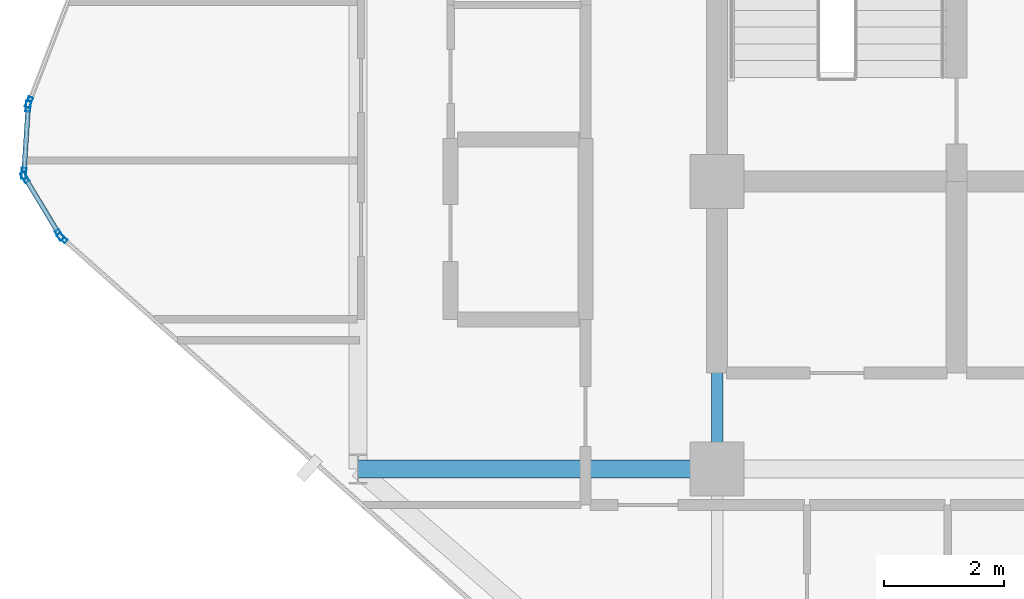
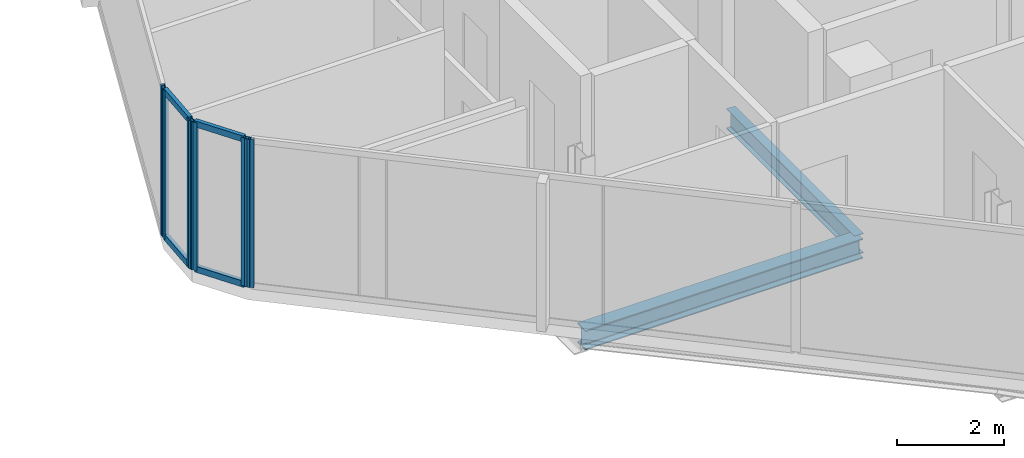
# One storey, part 7 of 31: 10 members, 2 beams, 4 elements without a shape of their own.
"""IFC4 building model written with IfcOpenShell, lengths in metres."""

from ifc_helpers import new_model, si_unit, direction, frame, origin, origin_2d, place, context, subcontext, project, spatial, hollow_rectangle, i_section, extrude, material, layer, layer_set, material_profile, profile_set, type_object, element, aggregate, save


model = new_model("IFC4")

# Units and contexts
model_context = context("Model", 3, precision=1e-05, world=origin(), true_north=direction((0.0, 1.0)))
body_context = subcontext(model_context, "Body", "Model", "MODEL_VIEW")
ifc_project = project(units=[si_unit("LENGTHUNIT", "METRE"), si_unit("AREAUNIT", "SQUARE_METRE"), si_unit("VOLUMEUNIT", "CUBIC_METRE"), si_unit("PLANEANGLEUNIT", "RADIAN"), si_unit("MASSUNIT", "GRAM", prefix="KILO")], contexts=[model_context])

# Site, building, storey
site_placement = place(None, origin())
site = spatial("IfcSite", under=ifc_project, at=site_placement, CompositionType="ELEMENT")
building_placement = place(site_placement, origin())
building = spatial("IfcBuilding", under=site, at=building_placement, Name="Keshet Zoharim Tower", CompositionType="ELEMENT")
storey_placement = place(building_placement, frame((0.0, 0.0, 140.89990234375)))
storey = spatial("IfcBuildingStorey", under=building, at=storey_placement, Name="L34", CompositionType="ELEMENT", Elevation=140.89990234375)

# Beams
ifc_material_1 = material(Name="Steel S355", Category="steel")
ifc_material_profile_1 = material_profile(ifc_material_1, i_section(OverallWidth=0.18994140625, OverallDepth=0.449951171875, WebThickness=0.009521484375, FlangeThickness=0.0146484375, FilletRadius=0.02099609375, at=origin_2d()), Name="IPE450")
ifc_profile_set_1 = profile_set([ifc_material_profile_1], Name="Steel S355")
beam_type_1 = type_object("IfcBeamType", Name="BM-PRI-IP450", PredefinedType="BEAM", material=ifc_profile_set_1)
beam_1_placement = place(storey_placement, frame((15.0, 17.89990234375, -0.539794921875), z_axis=(0.0, 1.0, 0.0), x_axis=(-1.0, 0.0, 0.0)))
element("IfcBeam", 1, at=beam_1_placement, inside=storey, type_object=beam_type_1, Name="L34 Primary Girder Y-003", PredefinedType="BEAM", context=body_context, shape_type="SweptSolid", body=[
    extrude(i_section(OverallWidth=0.18994140625, OverallDepth=0.449951171875, WebThickness=0.009521484375, FlangeThickness=0.0146484375, FilletRadius=0.02099609375, at=origin_2d()), origin(), (0.0, 0.0, 1.0), 4.800048828125),
])
ifc_material_profile_2 = material_profile(ifc_material_1, i_section(OverallWidth=0.300048828125, OverallDepth=0.449951171875, WebThickness=0.013916015625, FlangeThickness=0.02587890625, FilletRadius=0.027099609375, at=origin_2d()), Name="HEB450")
ifc_profile_set_2 = profile_set([ifc_material_profile_2], Name="Steel S355")
beam_type_2 = type_object("IfcBeamType", Name="BM-WEB-HB450", PredefinedType="BEAM", material=ifc_profile_set_2)
beam_2_placement = place(storey_placement, frame((9.0, 17.89990234375, -0.539794921875), z_axis=(1.0, 0.0, 0.0), x_axis=(0.0, 1.0, 0.0)))
element("IfcBeam", 2, at=beam_2_placement, inside=storey, type_object=beam_type_2, Name="L34 Primary Girder X-011", PredefinedType="BEAM", context=body_context, shape_type="SweptSolid", body=[
    extrude(i_section(OverallWidth=0.300048828125, OverallDepth=0.449951171875, WebThickness=0.013916015625, FlangeThickness=0.02587890625, FilletRadius=0.027099609375, at=origin_2d()), origin(), (0.0, 0.0, 1.0), 6.0),
])

# Curtain wall, member
ifc_material_2 = material(Name="Aluminium 6063-T6", Category="aluminium")
ifc_layer = layer(ifc_material_2, 0.159912109375)
ifc_layer_set = layer_set([ifc_layer], Name="Aluminium 6063-T6")
curtain_wall_type = type_object("IfcCurtainWallType", Name="CW-SYS-03", PredefinedType="NOTDEFINED", material=ifc_layer_set)
curtain_wall_1_placement = place(storey_placement, origin())
curtain_wall_1 = element("IfcCurtainWall", 3, at=curtain_wall_1_placement, inside=storey, type_object=curtain_wall_type, Name="L34 Unitised Curtain Wall 07 Part 2", PredefinedType="NOTDEFINED")
ifc_material_profile_3 = material_profile(ifc_material_2, hollow_rectangle(XDim=0.080078125, YDim=0.179931640625, WallThickness=0.00439453125, at=origin_2d()), Name="MUL-80x180")
ifc_profile_set_3 = profile_set([ifc_material_profile_3], Name="Aluminium 6063-T6")
member_type_1 = type_object("IfcMemberType", Name="CWM-M18", PredefinedType="MULLION", material=ifc_profile_set_3)
member_1_placement = place(storey_placement, frame((4.061279296875, 21.7568359375, 0.0), z_axis=(0.0, 0.0, 1.0), x_axis=(-0.664363542589, -0.747409582009, 0.0)))
member_1 = element("IfcMember", 4, at=member_1_placement, type_object=member_type_1, Name="CW-03 mullion 3", PredefinedType="MULLION", context=body_context, shape_type="SweptSolid", body=[
    extrude(hollow_rectangle(XDim=0.080078125, YDim=0.179931640625, WallThickness=0.00439453125, at=origin_2d()), origin(), (0.0, 0.0, 1.0), 3.385009765625),
])
aggregate(curtain_wall_1, [member_1])

# Curtain wall, members
curtain_wall_2_placement = place(storey_placement, origin())
curtain_wall_2 = element("IfcCurtainWall", 5, at=curtain_wall_2_placement, inside=storey, type_object=curtain_wall_type, Name="L34 Unitised Curtain Wall 08", PredefinedType="NOTDEFINED")
member_2_placement = place(storey_placement, frame((4.016845703125, 21.81005859375, 0.0), z_axis=(0.0, 0.0, 1.0), x_axis=(-0.856826433805, -0.515604947933, 0.0)))
member_2 = element("IfcMember", 6, at=member_2_placement, type_object=member_type_1, Name="CW-03 mullion 1", PredefinedType="MULLION", context=body_context, shape_type="SweptSolid", body=[
    extrude(hollow_rectangle(XDim=0.080078125, YDim=0.179931640625, WallThickness=0.00439453125, at=origin_2d()), origin(), (0.0, 0.0, 1.0), 3.385009765625),
])
member_3_placement = place(storey_placement, frame((3.43798828125, 22.77197265625, 0.0), z_axis=(0.0, 0.0, 1.0), x_axis=(-0.856826433805, -0.515604947933, 0.0)))
member_3 = element("IfcMember", 7, at=member_3_placement, type_object=member_type_1, Name="CW-03 mullion 2", PredefinedType="MULLION", context=body_context, shape_type="SweptSolid", body=[
    extrude(hollow_rectangle(XDim=0.080078125, YDim=0.179931640625, WallThickness=0.00439453125, at=origin_2d()), origin(), (0.0, 0.0, 1.0), 3.385009765625),
])

curtain_wall_3_placement = place(storey_placement, origin())
curtain_wall_3 = element("IfcCurtainWall", 8, at=curtain_wall_3_placement, inside=storey, type_object=curtain_wall_type, Name="L34 Unitised Curtain Wall 09", PredefinedType="NOTDEFINED")
member_4_placement = place(storey_placement, frame((3.42236328125, 22.8369140625, 0.0), z_axis=(0.0, 0.0, 1.0), x_axis=(-0.997916617186, 0.064516859374, 0.0)))
member_4 = element("IfcMember", 9, at=member_4_placement, type_object=member_type_1, Name="CW-03 mullion 1", PredefinedType="MULLION", context=body_context, shape_type="SweptSolid", body=[
    extrude(hollow_rectangle(XDim=0.080078125, YDim=0.179931640625, WallThickness=0.00439453125, at=origin_2d()), origin(), (0.0, 0.0, 1.0), 3.385009765625),
])
member_5_placement = place(storey_placement, frame((3.49462890625, 23.9580078125, 0.0), z_axis=(0.0, 0.0, 1.0), x_axis=(-0.997916617186, 0.064516859374, 0.0)))
member_5 = element("IfcMember", 10, at=member_5_placement, type_object=member_type_1, Name="CW-03 mullion 2", PredefinedType="MULLION", context=body_context, shape_type="SweptSolid", body=[
    extrude(hollow_rectangle(XDim=0.080078125, YDim=0.179931640625, WallThickness=0.00439453125, at=origin_2d()), origin(), (0.0, 0.0, 1.0), 3.385009765625),
])

# Curtain wall, member
curtain_wall_4_placement = place(storey_placement, origin())
curtain_wall_4 = element("IfcCurtainWall", 11, at=curtain_wall_4_placement, inside=storey, type_object=curtain_wall_type, Name="L34 Unitised Curtain Wall 10", PredefinedType="NOTDEFINED")
member_6_placement = place(storey_placement, frame((3.509521484375, 24.025634765625, 0.0), z_axis=(0.0, 0.0, 1.0), x_axis=(-0.933341404361, 0.358990003907, 0.0)))
member_6 = element("IfcMember", 12, at=member_6_placement, type_object=member_type_1, Name="CW-03 mullion 1", PredefinedType="MULLION", context=body_context, shape_type="SweptSolid", body=[
    extrude(hollow_rectangle(XDim=0.080078125, YDim=0.179931640625, WallThickness=0.00439453125, at=origin_2d()), origin(), (0.0, 0.0, 1.0), 3.385009765625),
])
aggregate(curtain_wall_4, [member_6])

# Member
ifc_material_profile_4 = material_profile(ifc_material_2, hollow_rectangle(XDim=0.080078125, YDim=0.139892578125, WallThickness=0.00390625, at=origin_2d()), Name="TRN-80x140")
ifc_profile_set_4 = profile_set([ifc_material_profile_4], Name="Aluminium 6063-T6")
member_type_2 = type_object("IfcMemberType", Name="CWT-T14", PredefinedType="USERDEFINED", material=ifc_profile_set_4)
member_7_placement = place(storey_placement, frame((3.9990234375, 21.840087890625, 0.03515625), z_axis=(-0.515791194107, 0.856714330499, 0.0), x_axis=(-0.856714330499, -0.515791194107, 0.0)))
member_7 = element("IfcMember", 13, at=member_7_placement, type_object=member_type_2, Name="CW-03 transom 1.1", ObjectType="TRANSOM", PredefinedType="USERDEFINED", context=body_context, shape_type="SweptSolid", body=[
    extrude(hollow_rectangle(XDim=0.080078125, YDim=0.139892578125, WallThickness=0.00390625, at=origin_2d()), origin(), (0.0, 0.0, 1.0), 1.052734375),
])

member_8_placement = place(storey_placement, frame((3.9990234375, 21.840087890625, 3.35009765625), z_axis=(-0.515791194107, 0.856714330499, 0.0), x_axis=(-0.856714330499, -0.515791194107, 0.0)))
member_8 = element("IfcMember", 14, at=member_8_placement, type_object=member_type_2, Name="CW-03 transom 1.2", ObjectType="TRANSOM", PredefinedType="USERDEFINED", context=body_context, shape_type="SweptSolid", body=[
    extrude(hollow_rectangle(XDim=0.080078125, YDim=0.139892578125, WallThickness=0.00390625, at=origin_2d()), origin(), (0.0, 0.0, 1.0), 1.052734375),
])

aggregate(curtain_wall_2, [member_2, member_3, member_7, member_8])

member_9_placement = place(storey_placement, frame((3.424560546875, 22.871826171875, 0.03515625), z_axis=(0.064426947155, 0.997922426083, 0.0), x_axis=(-0.997922426083, 0.064426947155, 0.0)))
member_9 = element("IfcMember", 15, at=member_9_placement, type_object=member_type_2, Name="CW-03 transom 1.1", ObjectType="TRANSOM", PredefinedType="USERDEFINED", context=body_context, shape_type="SweptSolid", body=[
    extrude(hollow_rectangle(XDim=0.080078125, YDim=0.139892578125, WallThickness=0.00390625, at=origin_2d()), origin(), (0.0, 0.0, 1.0), 1.053466796875),
])

member_10_placement = place(storey_placement, frame((3.424560546875, 22.871826171875, 3.35009765625), z_axis=(0.064426947155, 0.997922426083, 0.0), x_axis=(-0.997922426083, 0.064426947155, 0.0)))
member_10 = element("IfcMember", 16, at=member_10_placement, type_object=member_type_2, Name="CW-03 transom 1.2", ObjectType="TRANSOM", PredefinedType="USERDEFINED", context=body_context, shape_type="SweptSolid", body=[
    extrude(hollow_rectangle(XDim=0.080078125, YDim=0.139892578125, WallThickness=0.00390625, at=origin_2d()), origin(), (0.0, 0.0, 1.0), 1.053466796875),
])

aggregate(curtain_wall_3, [member_4, member_5, member_9, member_10])

save(model, "model.ifc")
